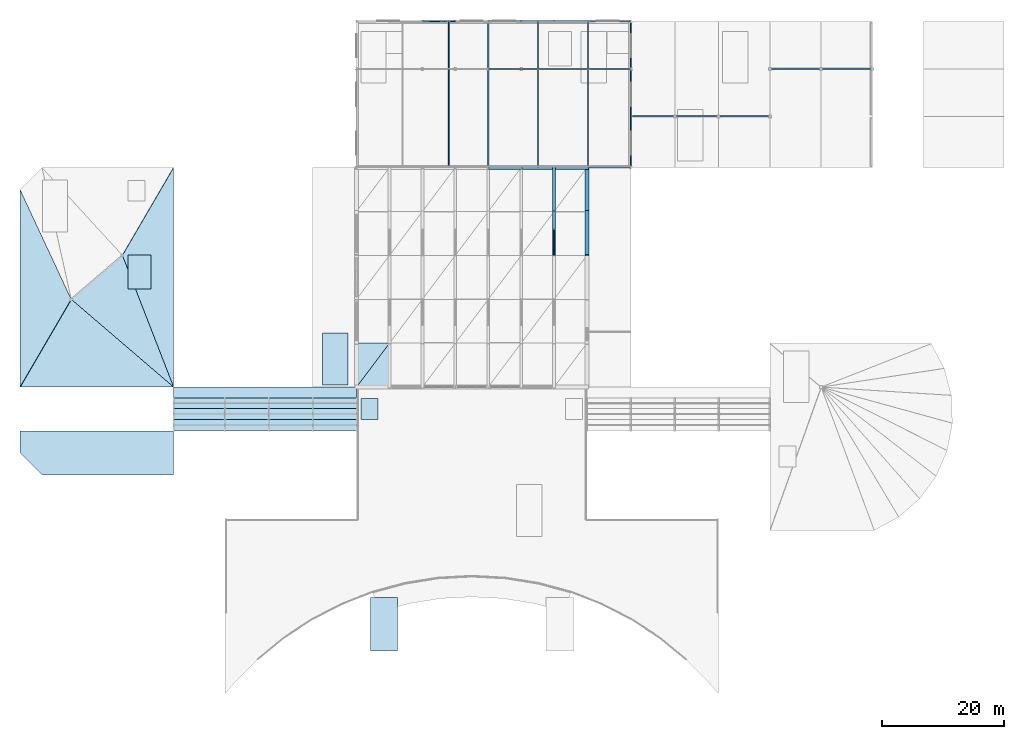
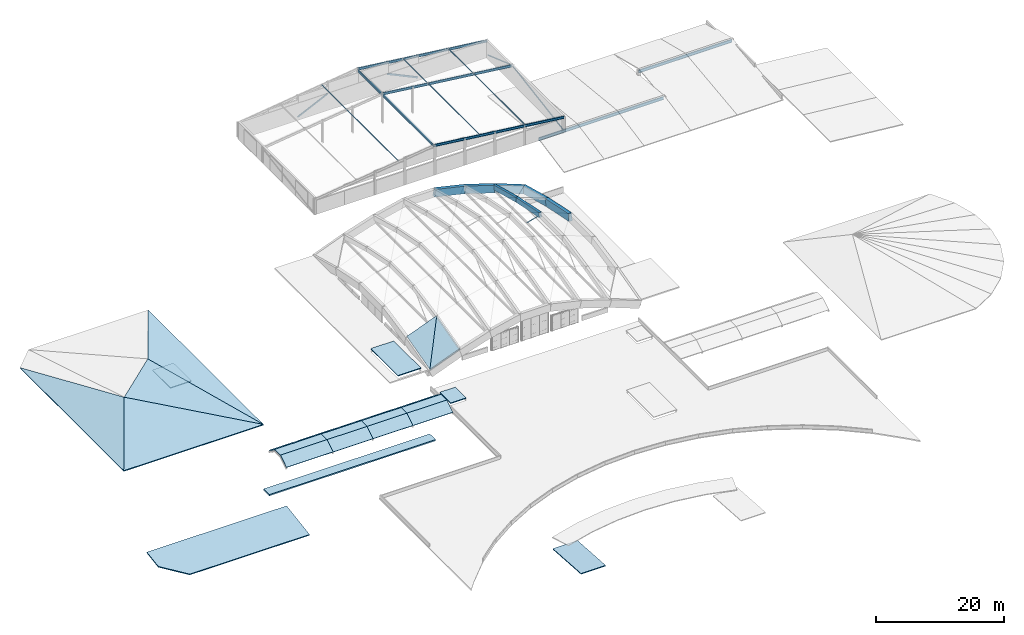
# One storey, part 8 of 27: 24 slabs, 14 beams, 11 members, 3 elements without a shape of their own.
"""IFC4 building model written with IfcOpenShell, lengths in metres."""

from ifc_helpers import new_model, si_unit, direction, frame, origin, origin_2d, place, context, subcontext, project, spatial, polyline, rectangle, hollow_rectangle, hollow_circle, i_section, outline, extrude, material, layer, layer_set, material_profile, profile_set, type_object, element, aggregate, save


model = new_model("IFC4")

# Units and contexts
model_context = context("Model", 3, precision=1e-05, world=origin(), true_north=direction((0.0, 1.0)))
body_context = subcontext(model_context, "Body", "Model", "MODEL_VIEW")
ifc_project = project(units=[si_unit("LENGTHUNIT", "METRE"), si_unit("AREAUNIT", "SQUARE_METRE"), si_unit("VOLUMEUNIT", "CUBIC_METRE"), si_unit("PLANEANGLEUNIT", "RADIAN"), si_unit("MASSUNIT", "GRAM", prefix="KILO")], contexts=[model_context])

# Site, building, storey
site_placement = place(None, origin())
site = spatial("IfcSite", under=ifc_project, at=site_placement, CompositionType="ELEMENT")
building_placement = place(site_placement, origin())
building = spatial("IfcBuilding", under=site, at=building_placement, Name="Tazoul Stagehouse", CompositionType="ELEMENT")
storey_placement = place(building_placement, frame((0.0, 0.0, 24.89990234375)))
storey = spatial("IfcBuildingStorey", under=building, at=storey_placement, Name="RF", CompositionType="ELEMENT", Elevation=24.89990234375)

# Members
ifc_material_1 = material(Name="Steel S355", Category="steel")
ifc_material_profile_1 = material_profile(ifc_material_1, hollow_rectangle(XDim=0.10009765625, YDim=0.199951171875, WallThickness=0.008056640625, InnerFilletRadius=0.008056640625, OuterFilletRadius=0.011962890625, at=origin_2d()), Name="RHS 200x100x8")
ifc_profile_set_1 = profile_set([ifc_material_profile_1], Name="Steel S355")
member_type_1 = type_object("IfcMemberType", Name="Fly-Tower Roof Purlin RHS 200x100x8", PredefinedType="PURLIN", material=ifc_profile_set_1)
member_1_placement = place(storey_placement, frame((72.719970703125, 87.8798828125, 4.7900390625), z_axis=(0.0, 1.0, 0.0), x_axis=(-1.0, 0.0, 0.0)))
element("IfcMember", 1, at=member_1_placement, inside=storey, type_object=member_type_1, Name="RF Roof Purlin PR-03 (PURL-V2-W1-2)", PredefinedType="PURLIN", context=body_context, shape_type="SweptSolid", body=[
    extrude(hollow_rectangle(XDim=0.10009765625, YDim=0.199951171875, WallThickness=0.008056640625, InnerFilletRadius=0.008056640625, OuterFilletRadius=0.011962890625, at=origin_2d()), origin(), (0.0, 0.0, 1.0), 16.0400390625),
])
member_2_placement = place(storey_placement, frame((72.719970703125, 104.080078125, 4.7900390625), z_axis=(0.0, 1.0, 0.0), x_axis=(-1.0, 0.0, 0.0)))
element("IfcMember", 2, at=member_2_placement, inside=storey, type_object=member_type_1, Name="RF Roof Purlin PR-03 (PURL-V2-W2-2)", PredefinedType="PURLIN", context=body_context, shape_type="SweptSolid", body=[
    extrude(hollow_rectangle(XDim=0.10009765625, YDim=0.199951171875, WallThickness=0.008056640625, InnerFilletRadius=0.008056640625, OuterFilletRadius=0.011962890625, at=origin_2d()), origin(), (0.0, 0.0, 1.0), 7.639892578125),
])
for number, where, z_axis, x_axis, name in (
    (3, (87.389892578125, 87.8798828125, 4.650146484375), (0.0, 1.0, 0.0), (-1.0, 0.0, 0.0), "RF Roof Purlin PR-03 (PURL-V2-E1-1)"),
    (4, (95.580078125, 87.8798828125, 3.670166015625), (0.0, 1.0, 0.0), (-1.0, 0.0, 0.0), "RF Roof Purlin PR-03 (PURL-V2-E1-2)"),
):
    element("IfcMember", number, at=place(storey_placement, frame(where, z_axis=z_axis, x_axis=x_axis)), inside=storey, type_object=member_type_1, Name=name, PredefinedType="PURLIN", context=body_context, shape_type="SweptSolid", body=[
        extrude(hollow_rectangle(XDim=0.10009765625, YDim=0.199951171875, WallThickness=0.008056640625, InnerFilletRadius=0.008056640625, OuterFilletRadius=0.011962890625, at=origin_2d()), origin(), (0.0, 0.0, 1.0), 16.0400390625),
    ])
for number, where, z_axis, x_axis, name in (
    (5, (87.389892578125, 104.080078125, 4.650146484375), (0.0, 1.0, 0.0), (-1.0, 0.0, 0.0), "RF Roof Purlin PR-03 (PURL-V2-E2-1)"),
    (6, (95.580078125, 104.080078125, 3.670166015625), (0.0, 1.0, 0.0), (-1.0, 0.0, 0.0), "RF Roof Purlin PR-03 (PURL-V2-E2-2)"),
):
    element("IfcMember", number, at=place(storey_placement, frame(where, z_axis=z_axis, x_axis=x_axis)), inside=storey, type_object=member_type_1, Name=name, PredefinedType="PURLIN", context=body_context, shape_type="SweptSolid", body=[
        extrude(hollow_rectangle(XDim=0.10009765625, YDim=0.199951171875, WallThickness=0.008056640625, InnerFilletRadius=0.008056640625, OuterFilletRadius=0.011962890625, at=origin_2d()), origin(), (0.0, 0.0, 1.0), 7.639892578125),
    ])
ifc_material_profile_2 = material_profile(ifc_material_1, hollow_circle(Radius=0.109619140625, WallThickness=0.010009765625, at=origin_2d()), Name="CHS 219.1x10")
ifc_profile_set_2 = profile_set([ifc_material_profile_2], Name="Steel S355")
member_type_2 = type_object("IfcMemberType", Name="Fly-Tower Upper Brace CHS 219.1x10 (Exterior)", PredefinedType="BRACE", material=ifc_profile_set_2)
member_3_placement = place(storey_placement, frame((102.60009765625, 88.050048828125, 0.1201171875), z_axis=(0.0, 0.986846554557, 0.161659759247), x_axis=(-1.0, 0.0, 0.0)))
element("IfcMember", 7, at=member_3_placement, inside=storey, type_object=member_type_2, Name="RF Concentric Brace BR-02E (BR-FT-RF-E1)", PredefinedType="BRACE", context=body_context, shape_type="SweptSolid", body=[
    extrude(hollow_circle(Radius=0.109619140625, WallThickness=0.010009765625, at=origin_2d()), origin(), (0.0, 0.0, 1.0), 15.9599609375),
])
member_4_placement = place(storey_placement, frame((102.60009765625, 111.550048828125, 0.1201171875), z_axis=(0.0, -0.943555998316, 0.331213040265), x_axis=(1.0, 0.0, 0.0)))
element("IfcMember", 8, at=member_4_placement, inside=storey, type_object=member_type_2, Name="RF Concentric Brace BR-02E (BR-FT-RF-E2)", PredefinedType="BRACE", context=body_context, shape_type="SweptSolid", body=[
    extrude(hollow_circle(Radius=0.109619140625, WallThickness=0.010009765625, at=origin_2d()), origin(), (0.0, 0.0, 1.0), 7.789794921875),
])
ifc_material_profile_3 = material_profile(ifc_material_1, hollow_rectangle(XDim=0.199951171875, YDim=0.300048828125, WallThickness=0.012451171875, InnerFilletRadius=0.012451171875, OuterFilletRadius=0.018798828125, at=origin_2d()), Name="RHS 300x200x12.5")
ifc_profile_set_3 = profile_set([ifc_material_profile_3], Name="Steel S355")
member_type_3 = type_object("IfcMemberType", Name="Heavy Frame Brace RHS 300x200x12.5 (Exterior)", PredefinedType="BRACE", material=ifc_profile_set_3)
member_5_placement = place(storey_placement, frame((90.0, 111.800048828125, 0.150146484375), z_axis=(-0.904242507806, 0.0, 0.427019305273), x_axis=(0.0, -1.0, 0.0)))
element("IfcMember", 9, at=member_5_placement, inside=storey, type_object=member_type_3, Name="RF Concentric Brace BR-06E (BR-FT-RF-N2)", PredefinedType="BRACE", context=body_context, shape_type="SweptSolid", body=[
    extrude(hollow_rectangle(XDim=0.199951171875, YDim=0.300048828125, WallThickness=0.012451171875, InnerFilletRadius=0.012451171875, OuterFilletRadius=0.018798828125, at=origin_2d()), origin(), (0.0, 0.0, 1.0), 5.9716796875),
])
ifc_material_profile_4 = material_profile(ifc_material_1, hollow_rectangle(XDim=0.14990234375, YDim=0.25, WallThickness=0.010009765625, InnerFilletRadius=0.010009765625, OuterFilletRadius=0.014892578125, at=origin_2d()), Name="RHS 250x150x10")
ifc_profile_set_4 = profile_set([ifc_material_profile_4], Name="Steel S355")
member_type_4 = type_object("IfcMemberType", Name="Lateral Frame Brace RHS 250x150x10 (Exterior)", PredefinedType="BRACE", material=ifc_profile_set_4)
member_6_placement = place(storey_placement, frame((68.39990234375, 111.800048828125, 0.150146484375), z_axis=(0.90424996216, 0.0, 0.427003519814), x_axis=(0.0, 1.0, 0.0)))
element("IfcMember", 10, at=member_6_placement, inside=storey, type_object=member_type_4, Name="RF Concentric Brace BR-05E (BR-FT-RF-N1)", PredefinedType="BRACE", context=body_context, shape_type="SweptSolid", body=[
    extrude(hollow_rectangle(XDim=0.14990234375, YDim=0.25, WallThickness=0.010009765625, InnerFilletRadius=0.010009765625, OuterFilletRadius=0.014892578125, at=origin_2d()), origin(), (0.0, 0.0, 1.0), 5.971923828125),
])

# Beams
ifc_material_2 = material(Name="Concrete C40/50", Category="concrete")
ifc_material_profile_5 = material_profile(ifc_material_2, rectangle(XDim=0.449951171875, YDim=0.89990234375, at=origin_2d()), Name="RC 450x900")
ifc_profile_set_5 = profile_set([ifc_material_profile_5], Name="Concrete C40/50")
beam_type_1 = type_object("IfcBeamType", Name="RC Shell Arch Rib 450x900", PredefinedType="BEAM", material=ifc_profile_set_5)
beam_1_placement = place(storey_placement, frame((90.0, 73.39990234375, -2.767578125), z_axis=(0.0, 0.979913117397, -0.199424878971), x_axis=(-1.0, 0.0, 0.0)))
element("IfcBeam", 11, at=beam_1_placement, inside=storey, type_object=beam_type_1, Name="Shell Arch Rib AR-01 R7.4", PredefinedType="BEAM", context=body_context, shape_type="SweptSolid", body=[
    extrude(rectangle(XDim=0.449951171875, YDim=0.89990234375, at=origin_2d()), origin(), (0.0, 0.0, 1.0), 7.347900390625),
])
beam_2_placement = place(storey_placement, frame((90.0, 80.60009765625, -4.23291015625), z_axis=(0.0, 0.966171834407, -0.257899178748), x_axis=(-1.0, 0.0, 0.0)))
element("IfcBeam", 12, at=beam_2_placement, inside=storey, type_object=beam_type_1, Name="Shell Arch Rib AR-01 R7.5", PredefinedType="BEAM", context=body_context, shape_type="SweptSolid", body=[
    extrude(rectangle(XDim=0.449951171875, YDim=0.89990234375, at=origin_2d()), origin(), (0.0, 0.0, 1.0), 7.4521484375),
])
ifc_material_profile_6 = material_profile(ifc_material_2, rectangle(XDim=0.60009765625, YDim=1.39990234375, at=origin_2d()), Name="RC 600x1400")
ifc_profile_set_6 = profile_set([ifc_material_profile_6], Name="Concrete C40/50")
beam_type_2 = type_object("IfcBeamType", Name="RC Shell Edge Ring Beam 600x1400 (Exterior)", PredefinedType="BEAM", material=ifc_profile_set_6)
beam_3_placement = place(storey_placement, frame((95.39990234375, 73.39990234375, -5.112548828125), z_axis=(0.0, 0.979913117397, -0.199424878971), x_axis=(-1.0, 0.0, 0.0)))
element("IfcBeam", 13, at=beam_3_placement, inside=storey, type_object=beam_type_2, Name="Shell Edge Beam EB-01E R8.4", PredefinedType="BEAM", context=body_context, shape_type="SweptSolid", body=[
    extrude(rectangle(XDim=0.60009765625, YDim=1.39990234375, at=origin_2d()), origin(), (0.0, 0.0, 1.0), 7.347900390625),
])
beam_4_placement = place(storey_placement, frame((95.39990234375, 80.60009765625, -6.577880859375), z_axis=(0.0, 0.966163670627, -0.257929760905), x_axis=(-1.0, 0.0, 0.0)))
element("IfcBeam", 14, at=beam_4_placement, inside=storey, type_object=beam_type_2, Name="Shell Edge Beam EB-01E R8.5", PredefinedType="BEAM", context=body_context, shape_type="SweptSolid", body=[
    extrude(rectangle(XDim=0.60009765625, YDim=1.39990234375, at=origin_2d()), origin(), (0.0, 0.0, 1.0), 7.4521484375),
])
beam_5_placement = place(storey_placement, frame((79.199951171875, 87.800048828125, -3.44091796875), z_axis=(0.973871404196, 0.0, -0.227100171927), x_axis=(0.0, 1.0, 0.0)))
element("IfcBeam", 15, at=beam_5_placement, inside=storey, type_object=beam_type_2, Name="Shell Perimeter Edge Beam EB-01E N5", PredefinedType="BEAM", context=body_context, shape_type="SweptSolid", body=[
    extrude(rectangle(XDim=0.60009765625, YDim=1.39990234375, at=origin_2d()), origin(), (0.0, 0.0, 1.0), 5.544921875),
])
beam_6_placement = place(storey_placement, frame((84.60009765625, 87.800048828125, -4.7001953125), z_axis=(0.952083186685, 0.0, -0.305839182629), x_axis=(0.0, 1.0, 0.0)))
element("IfcBeam", 16, at=beam_6_placement, inside=storey, type_object=beam_type_2, Name="Shell Perimeter Edge Beam EB-01E N6", PredefinedType="BEAM", context=body_context, shape_type="SweptSolid", body=[
    extrude(rectangle(XDim=0.60009765625, YDim=1.39990234375, at=origin_2d()), origin(), (0.0, 0.0, 1.0), 5.671630859375),
])
beam_7_placement = place(storey_placement, frame((90.0, 87.800048828125, -6.434814453125), z_axis=(0.932863213405, 0.0, -0.360230794181), x_axis=(0.0, 1.0, 0.0)))
element("IfcBeam", 17, at=beam_7_placement, inside=storey, type_object=beam_type_2, Name="Shell Perimeter Edge Beam EB-01E N7", PredefinedType="BEAM", context=body_context, shape_type="SweptSolid", body=[
    extrude(rectangle(XDim=0.60009765625, YDim=1.39990234375, at=origin_2d()), origin(), (0.0, 0.0, 1.0), 5.78857421875),
])

# Member
ifc_material_profile_7 = material_profile(ifc_material_1, hollow_circle(Radius=0.084228515625, WallThickness=0.008056640625, at=origin_2d()), Name="CHS 168.3x8")
ifc_profile_set_7 = profile_set([ifc_material_profile_7], Name="Steel S355")
member_type_5 = type_object("IfcMemberType", Name="Roof Plan Wind Brace CHS 168.3x8", PredefinedType="BRACE", material=ifc_profile_set_7)
member_7_placement = place(storey_placement, frame((90.0, 77.60009765625, -6.8349609375), z_axis=(0.0, -0.718373240419, 0.695657881038), x_axis=(1.0, 0.0, 0.0)))
element("IfcMember", 18, at=member_7_placement, inside=storey, type_object=member_type_5, Name="RF Concentric Brace BR-03 (SHELL-STRUT-07N)", PredefinedType="BRACE", context=body_context, shape_type="SweptSolid", body=[
    extrude(hollow_circle(Radius=0.084228515625, WallThickness=0.008056640625, at=origin_2d()), origin(), (0.0, 0.0, 1.0), 5.846923828125),
])

# Beams
ifc_material_profile_8 = material_profile(ifc_material_1, i_section(OverallWidth=0.2099609375, OverallDepth=0.550048828125, WebThickness=0.010986328125, FlangeThickness=0.01708984375, FilletRadius=0.02392578125, at=origin_2d()), Name="IPE 550")
ifc_profile_set_8 = profile_set([ifc_material_profile_8], Name="Steel S355")
beam_type_3 = type_object("IfcBeamType", Name="Steel Hall Girder IPE 550", PredefinedType="BEAM", material=ifc_profile_set_8)
beam_8_placement = place(storey_placement, frame((102.85009765625, 96.199951171875, -6.699951171875), z_axis=(1.0, 0.0, 0.0), x_axis=(0.0, 1.0, 0.0)))
element("IfcBeam", 19, at=beam_8_placement, inside=storey, type_object=beam_type_3, Name="RF Rehearsal Vault Ridge Girder SB-05 (VA)", PredefinedType="BEAM", context=body_context, shape_type="SweptSolid", body=[
    extrude(i_section(OverallWidth=0.2099609375, OverallDepth=0.550048828125, WebThickness=0.010986328125, FlangeThickness=0.01708984375, FilletRadius=0.02392578125, at=origin_2d()), origin(), (0.0, 0.0, 1.0), 22.5498046875),
])
beam_9_placement = place(storey_placement, frame((125.39990234375, 104.0, -6.39990234375), z_axis=(1.0, 0.0, 0.0), x_axis=(0.0, 1.0, 0.0)))
element("IfcBeam", 20, at=beam_9_placement, inside=storey, type_object=beam_type_3, Name="RF Rehearsal Vault Ridge Girder SB-05 (VB)", PredefinedType="BEAM", context=body_context, shape_type="SweptSolid", body=[
    extrude(i_section(OverallWidth=0.2099609375, OverallDepth=0.550048828125, WebThickness=0.010986328125, FlangeThickness=0.01708984375, FilletRadius=0.02392578125, at=origin_2d()), origin(), (0.0, 0.0, 1.0), 16.800048828125),
])
ifc_material_profile_9 = material_profile(ifc_material_1, i_section(OverallWidth=0.18994140625, OverallDepth=0.449951171875, WebThickness=0.009521484375, FlangeThickness=0.0146484375, FilletRadius=0.02099609375, at=origin_2d()), Name="IPE 450")
ifc_profile_set_9 = profile_set([ifc_material_profile_9], Name="Steel S355")
beam_type_4 = type_object("IfcBeamType", Name="Steel Stage Girder IPE 450", PredefinedType="BEAM", material=ifc_profile_set_9)
beam_10_placement = place(storey_placement, frame((79.199951171875, 87.919921875, 5.320068359375), z_axis=(0.0, 1.0, 0.0), x_axis=(-1.0, 0.0, 0.0)))
element("IfcBeam", 21, at=beam_10_placement, inside=storey, type_object=beam_type_4, Name="Fly-Tower Ridge Beam SB-03 12/87", PredefinedType="BEAM", context=body_context, shape_type="SweptSolid", body=[
    extrude(i_section(OverallWidth=0.18994140625, OverallDepth=0.449951171875, WebThickness=0.009521484375, FlangeThickness=0.0146484375, FilletRadius=0.02099609375, at=origin_2d()), origin(), (0.0, 0.0, 1.0), 15.9599609375),
])
beam_11_placement = place(storey_placement, frame((79.199951171875, 104.1201171875, 5.320068359375), z_axis=(0.0, 1.0, 0.0), x_axis=(-1.0, 0.0, 0.0)))
element("IfcBeam", 22, at=beam_11_placement, inside=storey, type_object=beam_type_4, Name="Fly-Tower Ridge Beam SB-03 12/104", PredefinedType="BEAM", context=body_context, shape_type="SweptSolid", body=[
    extrude(i_section(OverallWidth=0.18994140625, OverallDepth=0.449951171875, WebThickness=0.009521484375, FlangeThickness=0.0146484375, FilletRadius=0.02099609375, at=origin_2d()), origin(), (0.0, 0.0, 1.0), 7.559814453125),
])
beam_12_placement = place(storey_placement, frame((79.199951171875, 104.0, 5.5), z_axis=(0.99291800426, 0.0, -0.118801670087), x_axis=(0.0, 1.0, 0.0)))
element("IfcBeam", 23, at=beam_12_placement, inside=storey, type_object=beam_type_4, Name="Fly-Tower Roof Rafter SB-03 Y104-E", PredefinedType="BEAM", context=body_context, shape_type="SweptSolid", body=[
    extrude(i_section(OverallWidth=0.18994140625, OverallDepth=0.449951171875, WebThickness=0.009521484375, FlangeThickness=0.0146484375, FilletRadius=0.02099609375, at=origin_2d()), origin(), (0.0, 0.0, 1.0), 23.567138671875),
])
ifc_material_profile_10 = material_profile(ifc_material_1, i_section(OverallWidth=0.18994140625, OverallDepth=0.449951171875, WebThickness=0.009521484375, FlangeThickness=0.0146484375, FilletRadius=0.02099609375, at=origin_2d()), Name="IPE 450")
ifc_profile_set_10 = profile_set([ifc_material_profile_10], Name="Steel S355")
beam_type_5 = type_object("IfcBeamType", Name="Steel Stage Girder IPE 450 (Exterior)", PredefinedType="BEAM", material=ifc_profile_set_10)
for number, where, z_axis, x_axis, name in (
    (24, (79.199951171875, 87.800048828125, 5.5), (0.99291800426, 0.0, -0.118801670087), (0.0, 1.0, 0.0), "Fly-Tower Roof Rafter SB-03E Y87-E"),
    (25, (79.199951171875, 111.800048828125, 5.5), (0.99291800426, 0.0, -0.118801670087), (0.0, 1.0, 0.0), "Fly-Tower Roof Rafter SB-03E Y111-E"),
):
    element("IfcBeam", number, at=place(storey_placement, frame(where, z_axis=z_axis, x_axis=x_axis)), inside=storey, type_object=beam_type_5, Name=name, PredefinedType="BEAM", context=body_context, shape_type="SweptSolid", body=[
        extrude(i_section(OverallWidth=0.18994140625, OverallDepth=0.449951171875, WebThickness=0.009521484375, FlangeThickness=0.0146484375, FilletRadius=0.02099609375, at=origin_2d()), origin(), (0.0, 0.0, 1.0), 23.567138671875),
    ])

# Slabs
ifc_material_3 = material(Name="Concrete C35/45", Category="concrete")
ifc_layer_1 = layer(ifc_material_3, 0.239990234375, Name="Concrete C35/45")
ifc_layer_set_1 = layer_set([ifc_layer_1], Name="Concrete C35/45")
slab_type_1 = type_object("IfcSlabType", Name="Flat Acoustic Wing Roof Slab 240", PredefinedType="ROOF", material=ifc_layer_set_1)
slab_1_placement = place(storey_placement, frame((0.0, 0.0, -20.33984375)))
element("IfcSlab", 26, at=slab_1_placement, inside=storey, type_object=slab_type_1, Name="L00 Link North Gallery Roof Slab RS-01 (WLNK)", PredefinedType="ROOF", context=body_context, shape_type="SweptSolid", body=[
    extrude(outline(polyline([(27.60009765625, 50.0), (57.60009765625, 50.0), (57.60009765625, 51.800048828125), (27.60009765625, 51.800048828125), (27.60009765625, 50.0)])), origin(), (0.0, 0.0, 1.0), 0.239990234375),
])
ifc_layer_2 = layer(ifc_material_3, 0.14990234375, Name="Concrete C35/45")
ifc_layer_set_2 = layer_set([ifc_layer_2], Name="Concrete C35/45")
slab_type_2 = type_object("IfcSlabType", Name="Lift Overrun Cap Slab 150", PredefinedType="ROOF", material=ifc_layer_set_2)
slab_2_placement = place(storey_placement, frame((0.0, 0.0, -11.39990234375)))
element("IfcSlab", 27, at=slab_2_placement, inside=storey, type_object=slab_type_2, Name="Lift Overrun Roof Cap RS-05 (PL-01)", PredefinedType="ROOF", context=body_context, shape_type="SweptSolid", body=[
    extrude(outline(polyline([(58.300048828125, 46.5), (61.10009765625, 46.5), (61.10009765625, 49.89990234375), (58.300048828125, 49.89990234375), (58.300048828125, 46.5)])), origin(), (0.0, 0.0, 1.0), 0.14990234375),
])
slab_3_placement = place(storey_placement, frame((0.0, 0.0, -7.39990234375)))
element("IfcSlab", 28, at=slab_3_placement, inside=storey, type_object=slab_type_2, Name="Core Stair Overrun Cap RS-05 (ST-05)", PredefinedType="ROOF", context=body_context, shape_type="SweptSolid", body=[
    extrude(outline(polyline([(52.050048828125, 52.139892578125), (56.199951171875, 52.139892578125), (56.199951171875, 60.639892578125), (52.050048828125, 60.639892578125), (52.050048828125, 52.139892578125)])), origin(), (0.0, 0.0, 1.0), 0.14990234375),
])
slab_4_placement = place(storey_placement, frame((0.0, 0.0, -8.099853515625)))
element("IfcSlab", 29, at=slab_4_placement, inside=storey, type_object=slab_type_2, Name="Lift Overrun Roof Cap RS-05 (GL-02)", PredefinedType="ROOF", context=body_context, shape_type="SweptSolid", body=[
    extrude(outline(polyline([(20.10009765625, 67.89990234375), (23.89990234375, 67.89990234375), (23.89990234375, 73.5), (20.10009765625, 73.5), (20.10009765625, 67.89990234375)])), origin(), (0.0, 0.0, 1.0), 0.14990234375),
])

# Roof, slabs
roof_type_1 = type_object("IfcRoofType", Name="Main Auditorium Barrel-Toroidal Roof", PredefinedType="BARREL_ROOF", material=ifc_material_2)
roof_1_placement = place(storey_placement, origin())
roof_1 = element("IfcRoof", 30, at=roof_1_placement, inside=storey, type_object=roof_type_1, Name="V1 Seven-Bay Doubly Curved Concrete Shell Roof", PredefinedType="BARREL_ROOF")
ifc_layer_3 = layer(ifc_material_2, 0.2900390625, Name="Concrete C40/50")
ifc_layer_set_3 = layer_set([ifc_layer_3], Name="Concrete C40/50")
slab_type_3 = type_object("IfcSlabType", Name="Shell Perimeter Thickened Band 290", PredefinedType="ROOF", material=ifc_layer_set_3)
slab_5_placement = place(storey_placement, frame((57.60009765625, 51.800048828125, -7.7998046875), z_axis=(-0.349520702805, -0.241633127057, 0.905234063775), x_axis=(0.932877386196, 0.0, 0.360194089796)))
slab_5 = element("IfcSlab", 31, at=slab_5_placement, type_object=slab_type_3, Name="Shell Roof Diagrid Facet SH-02 Bay 1.1A", PredefinedType="ROOF", context=body_context, shape_type="SweptSolid", body=[
    extrude(outline(polyline([(0.0, 0.0), (5.788437391294616, 0.0), (6.480685407621802, 7.419817590540905), (0.0, 0.0)])), origin(), (0.0, 0.0, -1.0), 0.2900390625),
])
slab_6_placement = place(storey_placement, frame((57.60009765625, 51.800048828125, -7.7998046875), z_axis=(-0.349520702805, -0.241633127057, 0.905234063775), x_axis=(0.548127354577, 0.730844733422, 0.406721500285)))
slab_6 = element("IfcSlab", 32, at=slab_6_placement, type_object=slab_type_3, Name="Shell Roof Diagrid Facet SH-02 Bay 1.1B", PredefinedType="ROOF", context=body_context, shape_type="SweptSolid", body=[
    extrude(outline(polyline([(0.0, 0.0), (9.851546905408433, -4.996003610813204e-16), (6.043714278219595, 4.359635089804397), (0.0, 0.0)])), origin(), (0.0, 0.0, -1.0), 0.2900390625),
])
aggregate(roof_1, [slab_5, slab_6])

roof_type_2 = type_object("IfcRoofType", Name="Folded Black-Box Diagrid Roof", PredefinedType="FREEFORM", material=ifc_material_2)
roof_2_placement = place(storey_placement, origin())
roof_2 = element("IfcRoof", 33, at=roof_2_placement, inside=storey, type_object=roof_type_2, Name="V6 Sculpted Folded Black-Box Diagrid Roof", PredefinedType="FREEFORM")
ifc_layer_4 = layer(ifc_material_2, 0.18994140625, Name="Concrete C40/50")
ifc_layer_set_4 = layer_set([ifc_layer_4], Name="Concrete C40/50")
slab_type_4 = type_object("IfcSlabType", Name="Sloped Studio Acoustic Roof 190", PredefinedType="ROOF", material=ifc_layer_set_4)
slab_7_placement = place(storey_placement, frame((10.800048828125, 66.199951171875, -5.449951171875), z_axis=(0.0, -0.161055062408, 0.986945422439), x_axis=(-0.498947868075, -0.855318486204, -0.139575470986)))
slab_7 = element("IfcSlab", 34, at=slab_7_placement, type_object=slab_type_4, Name="V6 Folded Diagrid Roof Facet RS-02 F1", PredefinedType="ROOF", context=body_context, shape_type="SweptSolid", body=[
    extrude(outline(polyline([(0.0, 0.0), (16.83571976523099, 3.0531133177191805e-16), (4.262136038978243, 21.83929568614929), (0.0, 0.0)])), origin(), (0.0, 0.0, -1.0), 0.18994140625),
])
slab_8_placement = place(storey_placement, frame((10.800048828125, 66.199951171875, -5.449951171875), z_axis=(0.069536059812, -0.081125010135, 0.994275348742), x_axis=(0.755014041524, -0.647148623039, -0.105605193055)))
slab_8 = element("IfcSlab", 35, at=slab_8_placement, type_object=slab_type_4, Name="V6 Folded Diagrid Roof Facet RS-02 F2", PredefinedType="ROOF", context=body_context, shape_type="SweptSolid", body=[
    extrude(outline(polyline([(0.0, 0.0), (22.25130647134716, -1.942890293094024e-16), (1.6826057301365518, 10.934646506350015), (0.0, 0.0)])), origin(), (0.0, 0.0, -1.0), 0.18994140625),
])
slab_9_placement = place(storey_placement, frame((19.199951171875, 73.39990234375, -5.449951171875), z_axis=(0.269397365305, 0.0, 0.963029106292), x_axis=(0.360605029786, -0.927247618225, -0.100875502418)))
slab_9 = element("IfcSlab", 36, at=slab_9_placement, type_object=slab_type_4, Name="V6 Folded Diagrid Roof Facet RS-02 F3", PredefinedType="ROOF", context=body_context, shape_type="SweptSolid", body=[
    extrude(outline(polyline([(0.0, 0.0), (23.294590453586224, -6.661338147750939e-16), (-10.086323802529769, 13.480154428856963), (0.0, 0.0)])), origin(), (0.0, 0.0, -1.0), 0.18994140625),
])
slab_10_placement = place(storey_placement, frame((10.800048828125, 66.199951171875, -5.449951171875), z_axis=(-0.269397365305, 0.0, 0.963029106292), x_axis=(-0.419963087372, 0.899905208411, -0.117480300984)))
slab_10 = element("IfcSlab", 37, at=slab_10_placement, type_object=slab_type_4, Name="V6 Folded Diagrid Roof Facet RS-02 F7", PredefinedType="ROOF", context=body_context, shape_type="SweptSolid", body=[
    extrude(outline(polyline([(0.0, 0.0), (20.002106701641527, -3.3306690738754696e-16), (-9.154734169507226, 14.129129566220508), (0.0, 0.0)])), origin(), (0.0, 0.0, -1.0), 0.18994140625),
])
aggregate(roof_2, [slab_7, slab_8, slab_9, slab_10])

# Slab
slab_11_placement = place(storey_placement, frame((6.0, 37.39990234375, -20.0498046875), z_axis=(-2.482916e-06, -0.15100295605, 0.988533311152), x_axis=(0.999999999997, -3.74928e-07, 2.454445e-06)))
element("IfcSlab", 38, at=slab_11_placement, inside=storey, type_object=slab_type_4, Name="V6 South Foyer Sloped Canopy RS-02", PredefinedType="ROOF", context=body_context, shape_type="SweptSolid", body=[
    extrude(outline(polyline([(0.0, 0.0), (21.60009765618342, -1.143499648672134e-21), (21.600097656161225, 7.283714045313679), (-3.6000976562610973, 7.283714045313679), (-3.600097656549615, 3.6418385896788057), (0.0, 0.0)])), origin(), (0.0, 0.0, -1.0), 0.18994140625),
])

# Roof, slabs
ifc_material_4 = material(Name="Precast concrete C40/50", Category="concrete")
roof_type_3 = type_object("IfcRoofType", Name="Vaulted Civic Passage Roof", PredefinedType="BARREL_ROOF", material=ifc_material_4)
roof_3_placement = place(storey_placement, origin())
roof_3 = element("IfcRoof", 39, at=roof_3_placement, inside=storey, type_object=roof_type_3, Name="Barrel-Vaulted Public Shade Passage and Court-Bridge Roofs", PredefinedType="BARREL_ROOF")
ifc_layer_5 = layer(ifc_material_4, 0.159912109375, Name="Precast concrete C40/50")
ifc_layer_set_5 = layer_set([ifc_layer_5], Name="Precast concrete C40/50")
slab_type_5 = type_object("IfcSlabType", Name="Vaulted Passage Canopy Shell 160", PredefinedType="ROOF", material=ifc_layer_set_5)
slab_12_placement = place(storey_placement, frame((27.60009765625, 44.60009765625, -11.619873046875), z_axis=(0.0, -0.533997079068, 0.845486321324), x_axis=(1.0, 0.0, 0.0)))
slab_12 = element("IfcSlab", 40, at=slab_12_placement, type_object=slab_type_5, Name="Passage Vault Canopy Strip RS-04 W1.1", PredefinedType="ROOF", context=body_context, shape_type="SweptSolid", body=[
    extrude(outline(polyline([(0.0, 0.0), (8.39990234375, 0.0), (8.39990234375, 2.247111864298466), (0.0, 2.247111864298466), (0.0, 0.0)])), origin(), (0.0, 0.0, -1.0), 0.159912109375),
])
slab_13_placement = place(storey_placement, frame((27.60009765625, 46.5, -10.419921875), z_axis=(0.0, 0.0, 1.0), x_axis=(1.0, 0.0, 0.0)))
slab_13 = element("IfcSlab", 41, at=slab_13_placement, type_object=slab_type_5, Name="Passage Vault Canopy Strip RS-04 W1.2", PredefinedType="ROOF", context=body_context, shape_type="SweptSolid", body=[
    extrude(outline(polyline([(0.0, 0.0), (8.39990234375, 0.0), (8.39990234375, 1.800048828125), (0.0, 1.800048828125), (0.0, 0.0)])), origin(), (0.0, 0.0, -1.0), 0.159912109375),
])
slab_14_placement = place(storey_placement, frame((27.60009765625, 48.300048828125, -10.419921875), z_axis=(0.0, 0.576678591087, 0.816971114901), x_axis=(1.0, 0.0, 0.0)))
slab_14 = element("IfcSlab", 42, at=slab_14_placement, type_object=slab_type_5, Name="Passage Vault Canopy Strip RS-04 W1.3", PredefinedType="ROOF", context=body_context, shape_type="SweptSolid", body=[
    extrude(outline(polyline([(0.0, 0.0), (8.39990234375, 0.0), (8.39990234375, 2.080797155333353), (0.0, 2.080797155333353), (0.0, 0.0)])), origin(), (0.0, 0.0, -1.0), 0.159912109375),
])
slab_15_placement = place(storey_placement, frame((36.0, 44.60009765625, -11.619873046875), z_axis=(0.0, -0.533997079068, 0.845486321324), x_axis=(1.0, 0.0, 0.0)))
slab_15 = element("IfcSlab", 43, at=slab_15_placement, type_object=slab_type_5, Name="Passage Vault Canopy Strip RS-04 W2.1", PredefinedType="ROOF", context=body_context, shape_type="SweptSolid", body=[
    extrude(outline(polyline([(0.0, 0.0), (7.199951171875, 0.0), (7.199951171875, 2.247111864298466), (0.0, 2.247111864298466), (0.0, 0.0)])), origin(), (0.0, 0.0, -1.0), 0.159912109375),
])
slab_16_placement = place(storey_placement, frame((36.0, 46.5, -10.419921875), z_axis=(0.0, 0.0, 1.0), x_axis=(1.0, 0.0, 0.0)))
slab_16 = element("IfcSlab", 44, at=slab_16_placement, type_object=slab_type_5, Name="Passage Vault Canopy Strip RS-04 W2.2", PredefinedType="ROOF", context=body_context, shape_type="SweptSolid", body=[
    extrude(outline(polyline([(0.0, 0.0), (7.199951171875, 0.0), (7.199951171875, 1.800048828125), (0.0, 1.800048828125), (0.0, 0.0)])), origin(), (0.0, 0.0, -1.0), 0.159912109375),
])
slab_17_placement = place(storey_placement, frame((36.0, 48.300048828125, -10.419921875), z_axis=(0.0, 0.576678591087, 0.816971114901), x_axis=(1.0, 0.0, 0.0)))
slab_17 = element("IfcSlab", 45, at=slab_17_placement, type_object=slab_type_5, Name="Passage Vault Canopy Strip RS-04 W2.3", PredefinedType="ROOF", context=body_context, shape_type="SweptSolid", body=[
    extrude(outline(polyline([(0.0, 0.0), (7.199951171875, 0.0), (7.199951171875, 2.080797155333353), (0.0, 2.080797155333353), (0.0, 0.0)])), origin(), (0.0, 0.0, -1.0), 0.159912109375),
])
slab_18_placement = place(storey_placement, frame((43.199951171875, 44.60009765625, -11.619873046875), z_axis=(0.0, -0.533997079068, 0.845486321324), x_axis=(1.0, 0.0, 0.0)))
slab_18 = element("IfcSlab", 46, at=slab_18_placement, type_object=slab_type_5, Name="Passage Vault Canopy Strip RS-04 W3.1", PredefinedType="ROOF", context=body_context, shape_type="SweptSolid", body=[
    extrude(outline(polyline([(0.0, 0.0), (7.199951171875, 0.0), (7.199951171875, 2.247111864298466), (0.0, 2.247111864298466), (0.0, 0.0)])), origin(), (0.0, 0.0, -1.0), 0.159912109375),
])
slab_19_placement = place(storey_placement, frame((43.199951171875, 46.5, -10.419921875), z_axis=(0.0, 0.0, 1.0), x_axis=(1.0, 0.0, 0.0)))
slab_19 = element("IfcSlab", 47, at=slab_19_placement, type_object=slab_type_5, Name="Passage Vault Canopy Strip RS-04 W3.2", PredefinedType="ROOF", context=body_context, shape_type="SweptSolid", body=[
    extrude(outline(polyline([(0.0, 0.0), (7.199951171875, 0.0), (7.199951171875, 1.800048828125), (0.0, 1.800048828125), (0.0, 0.0)])), origin(), (0.0, 0.0, -1.0), 0.159912109375),
])
slab_20_placement = place(storey_placement, frame((43.199951171875, 48.300048828125, -10.419921875), z_axis=(0.0, 0.576678591087, 0.816971114901), x_axis=(1.0, 0.0, 0.0)))
slab_20 = element("IfcSlab", 48, at=slab_20_placement, type_object=slab_type_5, Name="Passage Vault Canopy Strip RS-04 W3.3", PredefinedType="ROOF", context=body_context, shape_type="SweptSolid", body=[
    extrude(outline(polyline([(0.0, 0.0), (7.199951171875, 0.0), (7.199951171875, 2.080797155333353), (0.0, 2.080797155333353), (0.0, 0.0)])), origin(), (0.0, 0.0, -1.0), 0.159912109375),
])
slab_21_placement = place(storey_placement, frame((50.39990234375, 44.60009765625, -11.619873046875), z_axis=(0.0, -0.533997079068, 0.845486321324), x_axis=(1.0, 0.0, 0.0)))
slab_21 = element("IfcSlab", 49, at=slab_21_placement, type_object=slab_type_5, Name="Passage Vault Canopy Strip RS-04 W4.1", PredefinedType="ROOF", context=body_context, shape_type="SweptSolid", body=[
    extrude(outline(polyline([(0.0, 0.0), (7.2001953125, 0.0), (7.2001953125, 2.247111864298466), (0.0, 2.247111864298466), (0.0, 0.0)])), origin(), (0.0, 0.0, -1.0), 0.159912109375),
])
slab_22_placement = place(storey_placement, frame((50.39990234375, 46.5, -10.419921875), z_axis=(0.0, 0.0, 1.0), x_axis=(1.0, 0.0, 0.0)))
slab_22 = element("IfcSlab", 50, at=slab_22_placement, type_object=slab_type_5, Name="Passage Vault Canopy Strip RS-04 W4.2", PredefinedType="ROOF", context=body_context, shape_type="SweptSolid", body=[
    extrude(outline(polyline([(0.0, 0.0), (7.2001953125, 0.0), (7.2001953125, 1.800048828125), (0.0, 1.800048828125), (0.0, 0.0)])), origin(), (0.0, 0.0, -1.0), 0.159912109375),
])
slab_23_placement = place(storey_placement, frame((50.39990234375, 48.300048828125, -10.419921875), z_axis=(0.0, 0.576678591087, 0.816971114901), x_axis=(1.0, 0.0, 0.0)))
slab_23 = element("IfcSlab", 51, at=slab_23_placement, type_object=slab_type_5, Name="Passage Vault Canopy Strip RS-04 W4.3", PredefinedType="ROOF", context=body_context, shape_type="SweptSolid", body=[
    extrude(outline(polyline([(0.0, 0.0), (7.2001953125, 0.0), (7.2001953125, 2.0807971553333524), (0.0, 2.0807971553333524), (0.0, 0.0)])), origin(), (0.0, 0.0, -1.0), 0.159912109375),
])
slab_24_placement = place(storey_placement, frame((59.85009765625, 8.5, -21.25), z_axis=(0.0, 0.06800698196, 0.997684845232), x_axis=(1.0, 0.0, 0.0)))
slab_24 = element("IfcSlab", 52, at=slab_24_placement, type_object=slab_type_5, Name="Sunken Plaza Stair Pavilion Canopy Hood RS-04 (AMP-W)", PredefinedType="ROOF", context=body_context, shape_type="SweptSolid", body=[
    extrude(outline(polyline([(0.0, 0.0), (4.449951171875, 0.0), (4.449951171875, 8.820469580333684), (0.0, 8.820469580333684), (0.0, 0.0)])), origin(), (0.0, 0.0, -1.0), 0.159912109375),
])
aggregate(roof_3, [slab_12, slab_13, slab_14, slab_15, slab_16, slab_17, slab_18, slab_19, slab_20, slab_21, slab_22, slab_23, slab_24])

save(model, "model.ifc")
